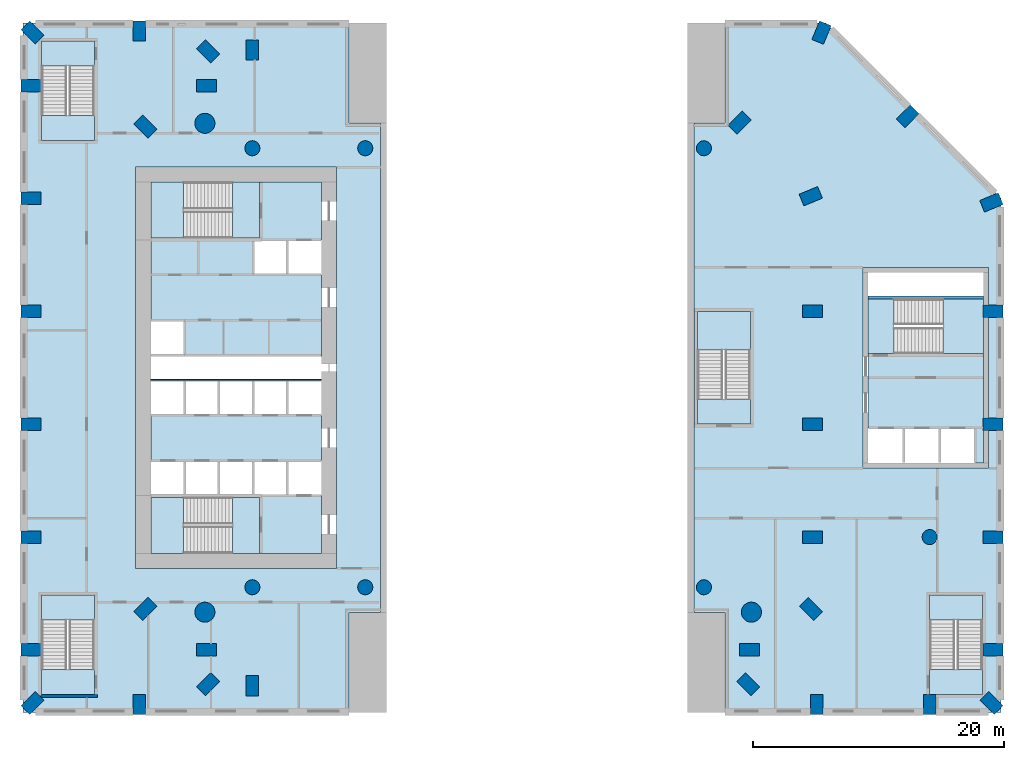
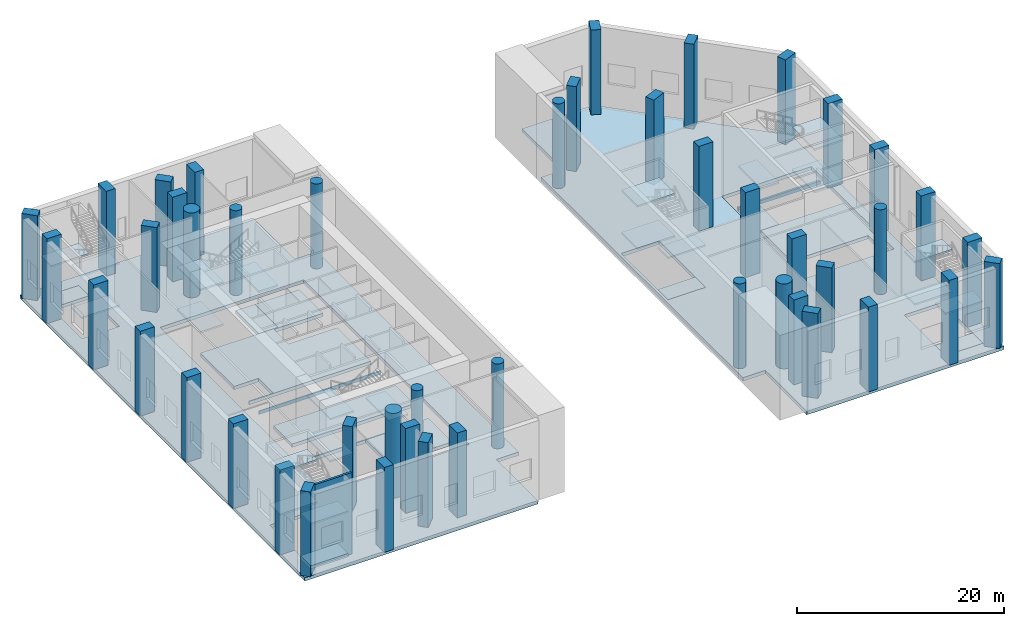
# One storey, part 1 of 17: 46 columns, 36 slabs, 1 wall, 7 elements without a shape of their own.
"""IFC4 building model written with IfcOpenShell, lengths in metres."""

import ifcopenshell
import ifcopenshell.guid

model = None  # the IFC model being written
_history = None  # IfcOwnerHistory: only IFC2X3 demands one
_inside = {}  # id of a spatial element -> (the spatial element, [elements in it])
_under = {}  # id of a project, library or spatial element -> (it, [spatial elements below it])
_declared = {}  # id of a project -> (the project, [libraries it declares])
_typed = {}  # id of a type object -> (the type object, [elements of that type])
_made_of = {}  # id of a material, layer set ... -> (it, [elements and type objects made of it])


def new_model(schema):
    """Start an empty IFC model of exactly this schema.

    Asked for "IFC4X3", IfcOpenShell would pick the latest addendum, in which some entities
    have other attributes; the version numbers below select the first issue.
    IFC2X3 requires an IfcOwnerHistory on every rooted entity: one is made here for all.
    """
    global model, _history
    if schema == "IFC4X3":
        model = ifcopenshell.file(schema_version=(4, 3, 0, 0))
    else:
        model = ifcopenshell.file(schema=schema)
    _inside.clear()
    _under.clear()
    _declared.clear()
    _typed.clear()
    _made_of.clear()
    _history = None
    if model.schema == "IFC2X3":
        org = make("IfcOrganization", Name="unknown")
        user = make(
            "IfcPersonAndOrganization",
            ThePerson=make("IfcPerson", FamilyName="unknown"),
            TheOrganization=org,
        )
        app = make(
            "IfcApplication",
            ApplicationDeveloper=org,
            Version="unknown",
            ApplicationFullName="unknown",
            ApplicationIdentifier="unknown",
        )
        _history = make(
            "IfcOwnerHistory",
            OwningUser=user,
            OwningApplication=app,
            ChangeAction="ADDED",
            CreationDate=0,
        )
    return model


def make(cls, **values):
    """One entity of the class cls with the attributes given. An attribute that is None is left unset."""
    return model.create_entity(
        cls, **{name: value for name, value in values.items() if value is not None}
    )


def rooted(cls, **values):
    """An entity with a GlobalId (a new one), such as an element, a storey or a relation."""
    return make(cls, GlobalId=ifcopenshell.guid.new(), OwnerHistory=_history, **values)


def si_unit(unit_type, name, prefix=None):
    """IfcSIUnit, for example si_unit("LENGTHUNIT", "METRE", prefix="MILLI")."""
    return make("IfcSIUnit", UnitType=unit_type, Prefix=prefix, Name=name)


def assignment(units):
    """IfcUnitAssignment: the units of a project."""
    return None if units is None else make("IfcUnitAssignment", Units=units)


def point(xyz):
    """IfcCartesianPoint."""
    return None if xyz is None else make("IfcCartesianPoint", Coordinates=xyz)


def direction(xyz):
    """IfcDirection."""
    return None if xyz is None else make("IfcDirection", DirectionRatios=xyz)


def frame(location, z_axis=None, x_axis=None):
    """IfcAxis2Placement3D, a coordinate frame: its origin and axes. An axis left out is left unset."""
    return make(
        "IfcAxis2Placement3D",
        Location=point(location),
        Axis=direction(z_axis),
        RefDirection=direction(x_axis),
    )


def frame_2d(location, x_axis=None):
    """IfcAxis2Placement2D, a coordinate frame in the plane: its origin and x axis."""
    return make(
        "IfcAxis2Placement2D", Location=point(location), RefDirection=direction(x_axis)
    )


def origin():
    """The frame at (0, 0, 0) with its axes left unset."""
    return frame((0.0, 0.0, 0.0))


def origin_2d():
    """The frame at (0, 0) in the plane with its x axis left unset."""
    return frame_2d((0.0, 0.0))


def place(relative_to, where):
    """IfcLocalPlacement: puts the frame where relative to a parent placement (None: the world)."""
    return make(
        "IfcLocalPlacement", PlacementRelTo=relative_to, RelativePlacement=where
    )


def context(
    kind, dimensions, precision=None, world=None, true_north=None, identifier=None
):
    """IfcGeometricRepresentationContext, for example the 3D "Model" context."""
    return make(
        "IfcGeometricRepresentationContext",
        ContextIdentifier=identifier,
        ContextType=kind,
        CoordinateSpaceDimension=dimensions,
        Precision=precision,
        WorldCoordinateSystem=world,
        TrueNorth=true_north,
    )


def subcontext(parent, identifier, kind, view, scale=None):
    """IfcGeometricRepresentationSubContext, for example "Body" below "Model"."""
    return make(
        "IfcGeometricRepresentationSubContext",
        ContextIdentifier=identifier,
        ContextType=kind,
        ParentContext=parent,
        TargetScale=scale,
        TargetView=view,
    )


def project(units=None, contexts=None):
    """IfcProject with its units and contexts."""
    return rooted(
        "IfcProject",
        Name="project",
        RepresentationContexts=contexts,
        UnitsInContext=assignment(units),
    )


def spatial(cls, under=None, at=None, **own):
    """A site, building, storey or space (cls), placed at a placement, below another one or the project."""
    s = rooted(cls, ObjectPlacement=at, **own)
    if under is not None:
        _under.setdefault(under.id(), (under, []))[1].append(s)
    return s


def polyline(points):
    """IfcPolyline through the points."""
    return make("IfcPolyline", Points=[point(p) for p in points])


def profile(cls, at=None, kind="AREA", **sizes):
    """A parametric profile (cls). Its sizes go by their IFC names, for example OverallWidth=200.0."""
    return make(cls, ProfileType=kind, Position=at, **sizes)


def rectangle(**sizes):
    """IfcRectangleProfileDef."""
    return profile("IfcRectangleProfileDef", **sizes)


def circle(**sizes):
    """IfcCircleProfileDef."""
    return profile("IfcCircleProfileDef", **sizes)


def outline(outer, holes=None, kind="AREA"):
    """IfcArbitraryClosedProfileDef: a profile drawn as a closed curve; with holes, ...WithVoids."""
    if holes is None:
        return make("IfcArbitraryClosedProfileDef", ProfileType=kind, OuterCurve=outer)
    return make(
        "IfcArbitraryProfileDefWithVoids",
        ProfileType=kind,
        OuterCurve=outer,
        InnerCurves=holes,
    )


def extrude(swept, where, along, depth):
    """IfcExtrudedAreaSolid: the profile swept, set in the frame where, extruded along a direction by depth."""
    return make(
        "IfcExtrudedAreaSolid",
        SweptArea=swept,
        Position=where,
        ExtrudedDirection=direction(along),
        Depth=depth,
    )


def shape(context_of_items, identifier, shape_type, items):
    """IfcShapeRepresentation: the items that make up one representation, for example the "Body"."""
    return make(
        "IfcShapeRepresentation",
        ContextOfItems=context_of_items,
        RepresentationIdentifier=identifier,
        RepresentationType=shape_type,
        Items=items,
    )


def material(Name=None, Category=None):
    """IfcMaterial."""
    return make("IfcMaterial", Name=Name, Category=Category)


def layer(
    of_material, thickness, ventilated=None, Name=None, Category=None, Priority=None
):
    """IfcMaterialLayer: one layer of a wall or slab, of a material (None: an air gap)."""
    return make(
        "IfcMaterialLayer",
        Material=of_material,
        LayerThickness=thickness,
        IsVentilated=ventilated,
        Name=Name,
        Category=Category,
        Priority=Priority,
    )


def layer_set(layers, Name=None):
    """IfcMaterialLayerSet."""
    return make("IfcMaterialLayerSet", MaterialLayers=layers, LayerSetName=Name)


def material_profile(
    of_material, cross_section, Name=None, Category=None, Priority=None
):
    """IfcMaterialProfile: a cross section and its material."""
    return make(
        "IfcMaterialProfile",
        Name=Name,
        Material=of_material,
        Profile=cross_section,
        Priority=Priority,
        Category=Category,
    )


def profile_set(profiles, Name=None, composite=None):
    """IfcMaterialProfileSet."""
    return make(
        "IfcMaterialProfileSet",
        Name=Name,
        MaterialProfiles=profiles,
        CompositeProfile=composite,
    )


def made_of(thing, what):
    """Note that an element or type object is made of a material, layer set ...; save() writes the relation."""
    if what is not None:
        _made_of.setdefault(what.id(), (what, []))[1].append(thing)
    return thing


def type_object(cls, material=None, **own):
    """A type object (cls), such as IfcWallType, which elements share."""
    return made_of(rooted(cls, **own), material)


def element(
    cls,
    number,
    at=None,
    inside=None,
    cuts=None,
    type_object=None,
    material=None,
    context=None,
    identifier="Body",
    shape_type=None,
    held_by="IfcProductDefinitionShape",
    body=None,
    shapes=None,
    **own,
):
    """One element of the class cls, such as IfcWall. Its Tag is "e" and its number.

    at: its placement. inside: the storey or other place that contains it. cuts: it is an
    opening in that element (IfcRelVoidsElement). A single representation is given by context,
    identifier, shape_type and body (its items); several are given by shapes. held_by: the class
    of the entity that holds the representations. save() writes the other relations.
    """
    e = rooted(cls, Tag="e%d" % number, ObjectPlacement=at, **own)
    if body is not None:
        shapes = [shape(context, identifier, shape_type, body)]
    if shapes is not None:
        e.Representation = make(held_by, Representations=shapes)
    if inside is not None:
        _inside.setdefault(inside.id(), (inside, []))[1].append(e)
    if cuts is not None:
        rooted(
            "IfcRelVoidsElement", RelatingBuildingElement=cuts, RelatedOpeningElement=e
        )
    if type_object is not None:
        _typed.setdefault(type_object.id(), (type_object, []))[1].append(e)
    return made_of(e, material)


def aggregate(whole, parts):
    """IfcRelAggregates: a whole, such as a stair, and the parts it consists of."""
    return rooted("IfcRelAggregates", RelatingObject=whole, RelatedObjects=parts)


def save(model, path):
    """Write the relations noted so far, then the file.

    IfcRelAggregates (storeys below a building ...), IfcRelContainedInSpatialStructure (elements
    in a storey), IfcRelDefinesByType, IfcRelAssociatesMaterial and IfcRelDeclares: one each for
    every whole, place, type object, material and project.
    """
    for whole, parts in _under.values():
        aggregate(whole, parts)
    for where, things in _inside.values():
        rooted(
            "IfcRelContainedInSpatialStructure",
            RelatedElements=things,
            RelatingStructure=where,
        )
    for kind, things in _typed.values():
        rooted("IfcRelDefinesByType", RelatedObjects=things, RelatingType=kind)
    for what, things in _made_of.values():
        rooted("IfcRelAssociatesMaterial", RelatedObjects=things, RelatingMaterial=what)
    for by, libraries in _declared.values():
        rooted("IfcRelDeclares", RelatingContext=by, RelatedDefinitions=libraries)
    model.write(path)


model = new_model("IFC4")

# Units and contexts
model_context = context("Model", 3, precision=1e-05, world=origin(), true_north=direction((0.0, 1.0)))
body_context = subcontext(model_context, "Body", "Model", "MODEL_VIEW")
ifc_project = project(units=[si_unit("LENGTHUNIT", "METRE"), si_unit("AREAUNIT", "SQUARE_METRE"), si_unit("VOLUMEUNIT", "CUBIC_METRE"), si_unit("PLANEANGLEUNIT", "RADIAN"), si_unit("MASSUNIT", "GRAM", prefix="KILO")], contexts=[model_context])

# Site, building, storey
site_placement = place(None, origin())
site = spatial("IfcSite", under=ifc_project, at=site_placement, CompositionType="ELEMENT")
building_placement = place(site_placement, origin())
building = spatial("IfcBuilding", under=site, at=building_placement, Name="Cypress Arch Tower", CompositionType="ELEMENT")
storey_placement = place(building_placement, frame((0.0, 0.0, 19.0)))
storey = spatial("IfcBuildingStorey", under=building, at=storey_placement, Name="L02", CompositionType="ELEMENT", Elevation=19.0)

# Columns
ifc_material_1 = material(Name="Concrete C80/95", Category="concrete")
ifc_material_profile_1 = material_profile(ifc_material_1, circle(Radius=0.60009765625, at=origin_2d()), Name="RC D1200")
ifc_profile_set_1 = profile_set([ifc_material_profile_1], Name="Concrete C80/95")
column_type_1 = type_object("IfcColumnType", Name="Column RC D1200 Concrete C80/95", PredefinedType="COLUMN", material=ifc_profile_set_1)
for number, where, z_axis, x_axis, name in (
    (1, (-20.699951171875, -17.5, 0.0), (0.0, 0.0, 1.0), (1.0, 0.0, 0.0), "Column L02 CIC-L02-CI3S"),
    (2, (-11.699951171875, -17.5, 0.0), (0.0, 0.0, 1.0), (1.0, 0.0, 0.0), "Column L02 CIC-L02-CI4S"),
    (3, (15.300048828125, -17.5, 0.0), (0.0, 0.0, 1.0), (1.0, 0.0, 0.0), "Column L02 CIC-L02-CI7S"),
    (4, (-20.699951171875, 17.5, 0.0), (0.0, 0.0, 1.0), (1.0, 0.0, 0.0), "Column L02 CIC-L02-CI3N"),
    (5, (-11.699951171875, 17.5, 0.0), (0.0, 0.0, 1.0), (1.0, 0.0, 0.0), "Column L02 CIC-L02-CI4N"),
    (6, (15.300048828125, 17.5, 0.0), (0.0, 0.0, 1.0), (1.0, 0.0, 0.0), "Column L02 CIC-L02-CI7N"),
    (7, (33.300048828125, -13.5, 0.0), (0.0, 0.0, 1.0), (1.0, 0.0, 0.0), "Column L02 PIC-L02-01"),
):
    element("IfcColumn", number, at=place(storey_placement, frame(where, z_axis=z_axis, x_axis=x_axis)), inside=storey, type_object=column_type_1, Name=name, PredefinedType="COLUMN", context=body_context, shape_type="SweptSolid", body=[
        extrude(circle(Radius=0.60009765625, at=origin_2d()), origin(), (0.0, 0.0, 1.0), 10.0),
    ])
ifc_material_2 = material(Name="Concrete C80/95", Category="concrete")
ifc_material_profile_2 = material_profile(ifc_material_2, circle(Radius=0.800048828125, at=origin_2d()), Name="RC D1600")
ifc_profile_set_2 = profile_set([ifc_material_profile_2], Name="Concrete C80/95")
column_type_2 = type_object("IfcColumnType", Name="Mega-column RC D1600 Concrete C80/95", PredefinedType="COLUMN", material=ifc_profile_set_2)
for number, where, z_axis, x_axis, name in (
    (8, (-24.48779296875, -19.48779296875, 0.0), (0.0, 0.0, 1.0), (1.0, 0.0, 0.0), "Column L02 CA02"),
    (9, (19.087890625, -19.48779296875, 0.0), (0.0, 0.0, 1.0), (1.0, 0.0, 0.0), "Column L02 CA12"),
    (10, (-24.48779296875, 19.48779296875, 0.0), (0.0, 0.0, 1.0), (1.0, 0.0, 0.0), "Column L02 CA26"),
):
    element("IfcColumn", number, at=place(storey_placement, frame(where, z_axis=z_axis, x_axis=x_axis)), inside=storey, type_object=column_type_2, Name=name, PredefinedType="COLUMN", context=body_context, shape_type="SweptSolid", body=[
        extrude(circle(Radius=0.800048828125, at=origin_2d()), origin(), (0.0, 0.0, 1.0), 10.0),
    ])
ifc_material_3 = material(Name="Concrete C80/95", Category="concrete")
ifc_material_profile_3 = material_profile(ifc_material_3, rectangle(XDim=1.0, YDim=1.60009765625, at=origin_2d()), Name="RC 1000x1600")
ifc_profile_set_3 = profile_set([ifc_material_profile_3], Name="Concrete C80/95")
column_type_3 = type_object("IfcColumnType", Name="Podium column RC 1000x1600 Concrete C80/95", PredefinedType="COLUMN", material=ifc_profile_set_3)
for number, where, z_axis, x_axis, name in (
    (11, (-29.230712890625, 19.230712890625, 0.0), (0.0, 0.0, 1.0), (-0.707106781187, -0.707106781187, 0.0), "Column L02 CA00"),
    (12, (-29.230712890625, -19.230712890625, 0.0), (0.0, 0.0, 1.0), (0.707106781187, -0.707106781187, 0.0), "Column L02 CA01"),
    (13, (-24.35009765625, -22.5, 0.0), (0.0, 0.0, 1.0), (0.0, -1.0, 0.0), "Column L02 CA03"),
    (14, (-24.230712890625, -25.230712890625, 0.0), (0.0, 0.0, 1.0), (0.707106781187, -0.707106781187, 0.0), "Column L02 CA04"),
    (15, (-20.699951171875, -25.35009765625, 0.0), (0.0, 0.0, 1.0), (1.0, 0.0, 0.0), "Column L02 CA05"),
    (16, (18.830810546875, -25.230712890625, 0.0), (0.0, 0.0, 1.0), (0.707106781187, 0.707106781187, 0.0), "Column L02 CA10"),
    (17, (18.949951171875, -22.5, 0.0), (0.0, 0.0, 1.0), (0.0, 1.0, 0.0), "Column L02 CA11"),
    (18, (23.830810546875, -19.230712890625, 0.0), (0.0, 0.0, 1.0), (0.707106781187, 0.707106781187, 0.0), "Column L02 CA13"),
    (19, (23.949951171875, -13.5, 0.0), (0.0, 0.0, 1.0), (0.0, 1.0, 0.0), "Column L02 CA14"),
    (20, (23.949951171875, -4.5, 0.0), (0.0, 0.0, 1.0), (0.0, 1.0, 0.0), "Column L02 CA15"),
    (21, (23.949951171875, 4.5, 0.0), (0.0, 0.0, 1.0), (0.0, 1.0, 0.0), "Column L02 CA16"),
    (22, (23.819580078125, 13.6767578125, 0.0), (0.0, 0.0, 1.0), (-0.382683496864, 0.923879505795, 0.0), "Column L02 CA17"),
    (23, (18.140380859375, 19.540283203125, 0.0), (0.0, 0.0, 1.0), (-0.707106781187, 0.707106781187, 0.0), "Column L02 CA18"),
    (24, (-20.699951171875, 25.35009765625, 0.0), (0.0, 0.0, 1.0), (-1.0, 0.0, 0.0), "Column L02 CA23"),
    (25, (-24.230712890625, 25.230712890625, 0.0), (0.0, 0.0, 1.0), (-0.707106781187, -0.707106781187, 0.0), "Column L02 CA24"),
    (26, (-24.35009765625, 22.5, 0.0), (0.0, 0.0, 1.0), (0.0, -1.0, 0.0), "Column L02 CA25"),
    (27, (-38.230712890625, -26.730712890625, 0.0), (0.0, 0.0, 1.0), (0.707106781187, -0.707106781187, 0.0), "Column L02 CP00"),
    (28, (-29.699951171875, -26.85009765625, 0.0), (0.0, 0.0, 1.0), (1.0, 0.0, 0.0), "Column L02 CP01"),
    (29, (24.300048828125, -26.85009765625, 0.0), (0.0, 0.0, 1.0), (1.0, 0.0, 0.0), "Column L02 CP07"),
    (30, (33.300048828125, -26.85009765625, 0.0), (0.0, 0.0, 1.0), (1.0, 0.0, 0.0), "Column L02 CP08"),
    (31, (38.230712890625, -26.730712890625, 0.0), (0.0, 0.0, 1.0), (0.707106781187, 0.707106781187, 0.0), "Column L02 CP09"),
    (32, (38.35009765625, -22.5, 0.0), (0.0, 0.0, 1.0), (0.0, 1.0, 0.0), "Column L02 CP10"),
    (33, (38.35009765625, -13.5, 0.0), (0.0, 0.0, 1.0), (0.0, 1.0, 0.0), "Column L02 CP11"),
    (34, (38.35009765625, -4.5, 0.0), (0.0, 0.0, 1.0), (0.0, 1.0, 0.0), "Column L02 CP12"),
    (35, (38.35009765625, 4.5, 0.0), (0.0, 0.0, 1.0), (0.0, 1.0, 0.0), "Column L02 CP13"),
    (36, (38.219482421875, 13.1767578125, 0.0), (0.0, 0.0, 1.0), (-0.382683496864, 0.923879505795, 0.0), "Column L02 CP14"),
    (37, (31.540283203125, 20.040283203125, 0.0), (0.0, 0.0, 1.0), (-0.707106781187, 0.707106781187, 0.0), "Column L02 CP15"),
    (38, (24.6767578125, 26.719482421875, 0.0), (0.0, 0.0, 1.0), (-0.923879505795, 0.382683496864, 0.0), "Column L02 CP16"),
    (39, (-29.699951171875, 26.85009765625, 0.0), (0.0, 0.0, 1.0), (-1.0, 0.0, 0.0), "Column L02 CP22"),
    (40, (-38.230712890625, 26.730712890625, 0.0), (0.0, 0.0, 1.0), (-0.707106781187, -0.707106781187, 0.0), "Column L02 CP23"),
    (41, (-38.35009765625, 22.5, 0.0), (0.0, 0.0, 1.0), (0.0, -1.0, 0.0), "Column L02 CP24"),
    (42, (-38.35009765625, 13.5, 0.0), (0.0, 0.0, 1.0), (0.0, -1.0, 0.0), "Column L02 CP25"),
    (43, (-38.35009765625, 4.5, 0.0), (0.0, 0.0, 1.0), (0.0, -1.0, 0.0), "Column L02 CP26"),
    (44, (-38.35009765625, -4.5, 0.0), (0.0, 0.0, 1.0), (0.0, -1.0, 0.0), "Column L02 CP27"),
    (45, (-38.35009765625, -13.5, 0.0), (0.0, 0.0, 1.0), (0.0, -1.0, 0.0), "Column L02 CP28"),
    (46, (-38.35009765625, -22.5, 0.0), (0.0, 0.0, 1.0), (0.0, -1.0, 0.0), "Column L02 CP29"),
):
    element("IfcColumn", number, at=place(storey_placement, frame(where, z_axis=z_axis, x_axis=x_axis)), inside=storey, type_object=column_type_3, Name=name, PredefinedType="COLUMN", context=body_context, shape_type="SweptSolid", body=[
        extrude(rectangle(XDim=1.0, YDim=1.60009765625, at=origin_2d()), origin(), (0.0, 0.0, 1.0), 10.0),
    ])

# Slabs
ifc_material_4 = material(Name="Concrete C40/50", Category="concrete")
ifc_layer_1 = layer(ifc_material_4, 0.39990234375)
ifc_layer_set_1 = layer_set([ifc_layer_1], Name="Core floor CF400")
slab_type_1 = type_object("IfcSlabType", Name="Core floor CF400", PredefinedType="FLOOR", material=ifc_layer_set_1)
slab_1_placement = place(storey_placement, frame((0.0, 0.0, -0.39990234375)))
element("IfcSlab", 47, at=slab_1_placement, inside=storey, type_object=slab_type_1, Name="Stair floor landing", PredefinedType="FLOOR", context=body_context, shape_type="SweptSolid", body=[
    extrude(outline(polyline([(19.0, -4.5), (19.0, -2.5), (14.800048828125, -2.5), (14.800048828125, -4.5), (19.0, -4.5)])), origin(), (0.0, 0.0, 1.0), 0.39990234375),
])
slab_2_placement = place(storey_placement, frame((0.0, 0.0, -0.39990234375)))
element("IfcSlab", 48, at=slab_2_placement, inside=storey, type_object=slab_type_1, Name="Stair floor landing", PredefinedType="FLOOR", context=body_context, shape_type="SweptSolid", body=[
    extrude(outline(polyline([(-33.300048828125, -26.050048828125), (-33.300048828125, -24.050048828125), (-37.5, -24.050048828125), (-37.5, -26.050048828125), (-33.300048828125, -26.050048828125)])), origin(), (0.0, 0.0, 1.0), 0.39990234375),
])
slab_3_placement = place(storey_placement, frame((0.0, 0.0, -0.39990234375)))
element("IfcSlab", 49, at=slab_3_placement, inside=storey, type_object=slab_type_1, Name="Stair floor landing", PredefinedType="FLOOR", context=body_context, shape_type="SweptSolid", body=[
    extrude(outline(polyline([(-37.5, 26.050048828125), (-37.5, 24.050048828125), (-33.300048828125, 24.050048828125), (-33.300048828125, 26.050048828125), (-37.5, 26.050048828125)])), origin(), (0.0, 0.0, 1.0), 0.39990234375),
])
slab_4_placement = place(storey_placement, frame((0.0, 0.0, -0.39990234375)))
element("IfcSlab", 50, at=slab_4_placement, inside=storey, type_object=slab_type_1, Name="Stair floor landing", PredefinedType="FLOOR", context=body_context, shape_type="SweptSolid", body=[
    extrude(outline(polyline([(37.5, -26.050048828125), (37.5, -24.050048828125), (33.300048828125, -24.050048828125), (33.300048828125, -26.050048828125), (37.5, -26.050048828125)])), origin(), (0.0, 0.0, 1.0), 0.39990234375),
])
ifc_material_5 = material(Name="Concrete C40/50", Category="concrete")
ifc_layer_2 = layer(ifc_material_5, 0.402099609375)
ifc_layer_set_2 = layer_set([ifc_layer_2], Name="Core floor CF402")
slab_type_2 = type_object("IfcSlabType", Name="Core floor CF402", PredefinedType="FLOOR", material=ifc_layer_set_2)
slab_5_placement = place(storey_placement, frame((0.0, 0.0, -0.402099609375)))
element("IfcSlab", 51, at=slab_5_placement, inside=storey, type_object=slab_type_2, Name="Core floor", PredefinedType="FLOOR", context=body_context, shape_type="SweptSolid", body=[
    extrude(outline(polyline([(-20.125, -14.800048828125), (-15.199951171875, -14.800048828125), (-15.199951171875, -10.199951171875), (-17.919921875, -10.199951171875), (-20.639892578125, -10.199951171875), (-23.360107421875, -10.199951171875), (-26.080078125, -10.199951171875), (-28.800048828125, -10.199951171875), (-28.800048828125, -10.324951171875), (-22.27490234375, -10.324951171875), (-20.125, -10.324951171875), (-20.125, -14.800048828125)])), origin(), (0.0, 0.0, 1.0), 0.402099609375),
])
slab_6_placement = place(storey_placement, frame((0.0, 0.0, -0.402099609375)))
element("IfcSlab", 52, at=slab_6_placement, inside=storey, type_object=slab_type_2, Name="Core floor", PredefinedType="FLOOR", context=body_context, shape_type="SweptSolid", body=[
    extrude(outline(polyline([(-28.800048828125, -3.800048828125), (-28.800048828125, -7.39990234375), (-26.080078125, -7.39990234375), (-23.360107421875, -7.39990234375), (-20.639892578125, -7.39990234375), (-17.919921875, -7.39990234375), (-15.199951171875, -7.39990234375), (-15.199951171875, -3.800048828125), (-17.919921875, -3.800048828125), (-20.639892578125, -3.800048828125), (-23.360107421875, -3.800048828125), (-26.080078125, -3.800048828125), (-28.800048828125, -3.800048828125)])), origin(), (0.0, 0.0, 1.0), 0.402099609375),
])
slab_7_placement = place(storey_placement, frame((0.0, 0.0, -0.402099609375)))
element("IfcSlab", 53, at=slab_7_placement, inside=storey, type_object=slab_type_2, Name="Core floor", PredefinedType="FLOOR", context=body_context, shape_type="SweptSolid", body=[
    extrude(outline(polyline([(-28.800048828125, 3.800048828125), (-28.800048828125, 10.199951171875), (-28.800048828125, 10.324951171875), (-28.39990234375, 10.324951171875), (-22.27490234375, 10.324951171875), (-20.125, 10.324951171875), (-20.125, 14.800048828125), (-15.60009765625, 14.800048828125), (-15.199951171875, 14.800048828125), (-15.199951171875, 10.199951171875), (-15.60009765625, 10.199951171875), (-17.919921875, 10.199951171875), (-20.639892578125, 10.199951171875), (-20.639892578125, 7.39990234375), (-17.919921875, 7.39990234375), (-15.60009765625, 7.39990234375), (-15.199951171875, 7.39990234375), (-15.199951171875, 0.89990234375), (-15.60009765625, 0.89990234375), (-28.39990234375, 0.89990234375), (-28.800048828125, 0.89990234375), (-28.800048828125, 1.0), (-28.39990234375, 1.0), (-26.080078125, 1.0), (-26.080078125, 3.800048828125), (-28.39990234375, 3.800048828125), (-28.800048828125, 3.800048828125)])), origin(), (0.0, 0.0, 1.0), 0.402099609375),
])
slab_8_placement = place(storey_placement, frame((0.0, 0.0, -0.402099609375)))
element("IfcSlab", 54, at=slab_8_placement, inside=storey, type_object=slab_type_2, Name="Core floor", PredefinedType="FLOOR", context=body_context, shape_type="SweptSolid", body=[
    extrude(outline(polyline([(-22.27490234375, -10.324951171875), (-22.27490234375, -14.800048828125), (-20.125, -14.800048828125), (-20.125, -10.324951171875), (-22.27490234375, -10.324951171875)])), origin(), (0.0, 0.0, 1.0), 0.402099609375),
])
slab_9_placement = place(storey_placement, frame((0.0, 0.0, -0.402099609375)))
element("IfcSlab", 55, at=slab_9_placement, inside=storey, type_object=slab_type_2, Name="Core floor", PredefinedType="FLOOR", context=body_context, shape_type="SweptSolid", body=[
    extrude(outline(polyline([(-20.125, 14.800048828125), (-22.27490234375, 14.800048828125), (-22.27490234375, 10.324951171875), (-20.125, 10.324951171875), (-20.125, 14.800048828125)])), origin(), (0.0, 0.0, 1.0), 0.402099609375),
])
slab_10_placement = place(storey_placement, frame((0.0, 0.0, -0.402099609375)))
element("IfcSlab", 56, at=slab_10_placement, inside=storey, type_object=slab_type_2, Name="East core floor", PredefinedType="FLOOR", context=body_context, shape_type="SweptSolid", body=[
    extrude(outline(polyline([(37.60009765625, -7.60009765625), (37.60009765625, 1.125), (30.449951171875, 1.125), (28.39990234375, 1.125), (28.39990234375, -4.800048828125), (31.25, -4.800048828125), (34.10009765625, -4.800048828125), (36.949951171875, -4.800048828125), (36.949951171875, -7.60009765625), (37.60009765625, -7.60009765625)])), origin(), (0.0, 0.0, 1.0), 0.402099609375),
])
slab_11_placement = place(storey_placement, frame((0.0, 0.0, -0.402099609375)))
element("IfcSlab", 57, at=slab_11_placement, inside=storey, type_object=slab_type_2, Name="East core floor", PredefinedType="FLOOR", context=body_context, shape_type="SweptSolid", body=[
    extrude(outline(polyline([(30.449951171875, 5.47509765625), (28.800048828125, 5.47509765625), (28.39990234375, 5.47509765625), (28.39990234375, 5.72509765625), (28.800048828125, 5.72509765625), (37.199951171875, 5.72509765625), (37.60009765625, 5.72509765625), (37.60009765625, 5.47509765625), (37.199951171875, 5.47509765625), (30.449951171875, 5.47509765625)])), origin(), (0.0, 0.0, 1.0), 0.402099609375),
])
slab_12_placement = place(storey_placement, frame((0.0, 0.0, -0.402099609375)))
element("IfcSlab", 58, at=slab_12_placement, inside=storey, type_object=slab_type_2, Name="East core floor", PredefinedType="FLOOR", context=body_context, shape_type="SweptSolid", body=[
    extrude(outline(polyline([(30.449951171875, 5.47509765625), (28.39990234375, 5.47509765625), (28.39990234375, 1.125), (30.449951171875, 1.125), (30.449951171875, 5.47509765625)])), origin(), (0.0, 0.0, 1.0), 0.402099609375),
])
slab_13_placement = place(storey_placement, frame((0.0, 0.0, -0.402099609375)))
element("IfcSlab", 59, at=slab_13_placement, inside=storey, type_object=slab_type_2, Name="Core floor", PredefinedType="FLOOR", context=body_context, shape_type="SweptSolid", body=[
    extrude(outline(polyline([(-20.639892578125, -1.0), (-23.360107421875, -1.0), (-26.080078125, -1.0), (-28.39990234375, -1.0), (-28.800048828125, -1.0), (-28.800048828125, -0.89990234375), (-28.39990234375, -0.89990234375), (-15.60009765625, -0.89990234375), (-15.199951171875, -0.89990234375), (-15.199951171875, -1.0), (-15.60009765625, -1.0), (-17.919921875, -1.0), (-20.639892578125, -1.0)])), origin(), (0.0, 0.0, 1.0), 0.402099609375),
])
ifc_material_6 = material(Name="Concrete C40/50", Category="concrete")
ifc_layer_3 = layer(ifc_material_6, 0.39990234375)
ifc_layer_set_3 = layer_set([ifc_layer_3], Name="Podium flat slab 400 Concrete C40/50")
slab_type_3 = type_object("IfcSlabType", Name="Podium flat slab 400 Concrete C40/50", PredefinedType="FLOOR", material=ifc_layer_set_3)
slab_14_placement = place(storey_placement, frame((0.0, 0.0, -0.39990234375)))
element("IfcSlab", 60, at=slab_14_placement, inside=storey, type_object=slab_type_3, Name="Floor slab L02", PredefinedType="FLOOR", context=body_context, shape_type="SweptSolid", body=[
    extrude(outline(polyline([(-39.0, -27.5), (-39.0, 27.5), (-13.0, 27.5), (-13.0, 19.5), (-10.5, 19.5), (-10.5, -19.5), (-13.0, -19.5), (-13.0, -27.5), (-39.0, -27.5)]), holes=[polyline([(-33.300048828125, -18.1298828125), (-37.5, -18.1298828125), (-37.5, -26.050048828125), (-33.300048828125, -26.050048828125), (-33.300048828125, -18.1298828125)]), polyline([(-14.0, 16.0), (-30.0, 16.0), (-30.0, -16.0), (-14.0, -16.0), (-14.0, 16.0)]), polyline([(-37.5, 18.1298828125), (-33.300048828125, 18.1298828125), (-33.300048828125, 26.050048828125), (-37.5, 26.050048828125), (-37.5, 18.1298828125)])]), origin(), (0.0, 0.0, 1.0), 0.39990234375),
])
slab_15_placement = place(storey_placement, frame((0.0, 0.0, -0.39990234375)))
element("IfcSlab", 61, at=slab_15_placement, inside=storey, type_object=slab_type_3, Name="Floor slab L02", PredefinedType="FLOOR", context=body_context, shape_type="SweptSolid", body=[
    extrude(outline(polyline([(25.0, 27.5), (39.0, 13.5), (39.0, -27.5), (17.0, -27.5), (17.0, -19.5), (14.5, -19.5), (14.5, 19.5), (17.0, 19.5), (17.0, 27.5), (25.0, 27.5)]), holes=[polyline([(37.5, -18.1298828125), (33.300048828125, -18.1298828125), (33.300048828125, -26.050048828125), (37.5, -26.050048828125), (37.5, -18.1298828125)]), polyline([(19.0, 4.5), (14.800048828125, 4.5), (14.800048828125, -4.5), (19.0, -4.5), (19.0, 4.5)]), polyline([(38.0, 8.0), (28.0, 8.0), (28.0, -8.0), (38.0, -8.0), (38.0, 8.0)])]), origin(), (0.0, 0.0, 1.0), 0.39990234375),
])

# Stair, slabs
ifc_material_7 = material(Name="Concrete C40/50", Category="concrete")
stair_type_1 = type_object("IfcStairType", Name="Exit stair ES1667-215", PredefinedType="HALF_TURN_STAIR", material=ifc_material_7)
stair_1_placement = place(storey_placement, origin())
stair_1 = element("IfcStair", 62, at=stair_1_placement, inside=storey, type_object=stair_type_1, Name="L02 Exit stair A", PredefinedType="HALF_TURN_STAIR")
ifc_material_8 = material(Name="Concrete C40/50", Category="concrete")
ifc_layer_4 = layer(ifc_material_8, 0.199951171875)
ifc_layer_set_4 = layer_set([ifc_layer_4], Name="Stair landing SL200")
slab_type_4 = type_object("IfcSlabType", Name="Stair landing SL200", PredefinedType="LANDING", material=ifc_layer_set_4)
slab_16_placement = place(storey_placement, frame((0.0, 0.0, 2.300048828125)))
slab_16 = element("IfcSlab", 63, at=slab_16_placement, type_object=slab_type_4, Name="A landing 1", PredefinedType="LANDING", context=body_context, shape_type="SweptSolid", body=[
    extrude(outline(polyline([(-26.195068359375, -10.324951171875), (-28.800048828125, -10.324951171875), (-28.800048828125, -14.800048828125), (-26.195068359375, -14.800048828125), (-26.195068359375, -10.324951171875)])), origin(), (0.0, 0.0, 1.0), 0.199951171875),
])
slab_17_placement = place(storey_placement, frame((0.0, 0.0, 4.800048828125)))
slab_17 = element("IfcSlab", 64, at=slab_17_placement, type_object=slab_type_4, Name="A landing 2", PredefinedType="LANDING", context=body_context, shape_type="SweptSolid", body=[
    extrude(outline(polyline([(-20.125, -10.324951171875), (-22.27490234375, -10.324951171875), (-22.27490234375, -14.800048828125), (-20.125, -14.800048828125), (-20.125, -10.324951171875)])), origin(), (0.0, 0.0, 1.0), 0.199951171875),
])
slab_18_placement = place(storey_placement, frame((0.0, 0.0, 7.300048828125)))
slab_18 = element("IfcSlab", 65, at=slab_18_placement, type_object=slab_type_4, Name="A landing 3", PredefinedType="LANDING", context=body_context, shape_type="SweptSolid", body=[
    extrude(outline(polyline([(-26.195068359375, -10.324951171875), (-28.800048828125, -10.324951171875), (-28.800048828125, -14.800048828125), (-26.195068359375, -14.800048828125), (-26.195068359375, -10.324951171875)])), origin(), (0.0, 0.0, 1.0), 0.199951171875),
])
aggregate(stair_1, [slab_16, slab_17, slab_18])

stair_2_placement = place(storey_placement, origin())
stair_2 = element("IfcStair", 66, at=stair_2_placement, inside=storey, type_object=stair_type_1, Name="L02 Exit stair B", PredefinedType="HALF_TURN_STAIR")
slab_19_placement = place(storey_placement, frame((0.0, 0.0, 2.300048828125)))
slab_19 = element("IfcSlab", 67, at=slab_19_placement, type_object=slab_type_4, Name="B landing 1", PredefinedType="LANDING", context=body_context, shape_type="SweptSolid", body=[
    extrude(outline(polyline([(-26.195068359375, 14.800048828125), (-28.800048828125, 14.800048828125), (-28.800048828125, 10.324951171875), (-26.195068359375, 10.324951171875), (-26.195068359375, 14.800048828125)])), origin(), (0.0, 0.0, 1.0), 0.199951171875),
])
slab_20_placement = place(storey_placement, frame((0.0, 0.0, 4.800048828125)))
slab_20 = element("IfcSlab", 68, at=slab_20_placement, type_object=slab_type_4, Name="B landing 2", PredefinedType="LANDING", context=body_context, shape_type="SweptSolid", body=[
    extrude(outline(polyline([(-20.125, 14.800048828125), (-22.27490234375, 14.800048828125), (-22.27490234375, 10.324951171875), (-20.125, 10.324951171875), (-20.125, 14.800048828125)])), origin(), (0.0, 0.0, 1.0), 0.199951171875),
])
slab_21_placement = place(storey_placement, frame((0.0, 0.0, 7.300048828125)))
slab_21 = element("IfcSlab", 69, at=slab_21_placement, type_object=slab_type_4, Name="B landing 3", PredefinedType="LANDING", context=body_context, shape_type="SweptSolid", body=[
    extrude(outline(polyline([(-26.195068359375, 14.800048828125), (-28.800048828125, 14.800048828125), (-28.800048828125, 10.324951171875), (-26.195068359375, 10.324951171875), (-26.195068359375, 14.800048828125)])), origin(), (0.0, 0.0, 1.0), 0.199951171875),
])
aggregate(stair_2, [slab_19, slab_20, slab_21])

ifc_material_9 = material(Name="Concrete C40/50", Category="concrete")
stair_type_2 = type_object("IfcStairType", Name="Exit stair ES1667-200", PredefinedType="HALF_TURN_STAIR", material=ifc_material_9)
stair_3_placement = place(storey_placement, origin())
stair_3 = element("IfcStair", 70, at=stair_3_placement, inside=storey, type_object=stair_type_2, Name="L02 Exit stair C", PredefinedType="HALF_TURN_STAIR")
slab_22_placement = place(storey_placement, frame((0.0, 0.0, 2.300048828125)))
slab_22 = element("IfcSlab", 71, at=slab_22_placement, type_object=slab_type_4, Name="C landing 1", PredefinedType="LANDING", context=body_context, shape_type="SweptSolid", body=[
    extrude(outline(polyline([(19.0, 1.419921875), (19.0, 4.5), (14.800048828125, 4.5), (14.800048828125, 1.419921875), (19.0, 1.419921875)])), origin(), (0.0, 0.0, 1.0), 0.199951171875),
])
slab_23_placement = place(storey_placement, frame((0.0, 0.0, 4.800048828125)))
slab_23 = element("IfcSlab", 72, at=slab_23_placement, type_object=slab_type_4, Name="C landing 2", PredefinedType="LANDING", context=body_context, shape_type="SweptSolid", body=[
    extrude(outline(polyline([(19.0, -4.5), (19.0, -2.5), (14.800048828125, -2.5), (14.800048828125, -4.5), (19.0, -4.5)])), origin(), (0.0, 0.0, 1.0), 0.199951171875),
])
slab_24_placement = place(storey_placement, frame((0.0, 0.0, 7.300048828125)))
slab_24 = element("IfcSlab", 73, at=slab_24_placement, type_object=slab_type_4, Name="C landing 3", PredefinedType="LANDING", context=body_context, shape_type="SweptSolid", body=[
    extrude(outline(polyline([(19.0, 1.419921875), (19.0, 4.5), (14.800048828125, 4.5), (14.800048828125, 1.419921875), (19.0, 1.419921875)])), origin(), (0.0, 0.0, 1.0), 0.199951171875),
])
aggregate(stair_3, [slab_22, slab_23, slab_24])

stair_4_placement = place(storey_placement, origin())
stair_4 = element("IfcStair", 74, at=stair_4_placement, inside=storey, type_object=stair_type_2, Name="L02 Exit stair P1", PredefinedType="HALF_TURN_STAIR")
slab_25_placement = place(storey_placement, frame((0.0, 0.0, 2.300048828125)))
slab_25 = element("IfcSlab", 75, at=slab_25_placement, type_object=slab_type_4, Name="P1 landing 1", PredefinedType="LANDING", context=body_context, shape_type="SweptSolid", body=[
    extrude(outline(polyline([(-33.300048828125, -20.1298828125), (-33.300048828125, -18.1298828125), (-37.5, -18.1298828125), (-37.5, -20.1298828125), (-33.300048828125, -20.1298828125)])), origin(), (0.0, 0.0, 1.0), 0.199951171875),
])
slab_26_placement = place(storey_placement, frame((0.0, 0.0, 4.800048828125)))
slab_26 = element("IfcSlab", 76, at=slab_26_placement, type_object=slab_type_4, Name="P1 landing 2", PredefinedType="LANDING", context=body_context, shape_type="SweptSolid", body=[
    extrude(outline(polyline([(-33.300048828125, -26.050048828125), (-33.300048828125, -24.050048828125), (-37.5, -24.050048828125), (-37.5, -26.050048828125), (-33.300048828125, -26.050048828125)])), origin(), (0.0, 0.0, 1.0), 0.199951171875),
])
slab_27_placement = place(storey_placement, frame((0.0, 0.0, 7.300048828125)))
slab_27 = element("IfcSlab", 77, at=slab_27_placement, type_object=slab_type_4, Name="P1 landing 3", PredefinedType="LANDING", context=body_context, shape_type="SweptSolid", body=[
    extrude(outline(polyline([(-33.300048828125, -20.1298828125), (-33.300048828125, -18.1298828125), (-37.5, -18.1298828125), (-37.5, -20.1298828125), (-33.300048828125, -20.1298828125)])), origin(), (0.0, 0.0, 1.0), 0.199951171875),
])
aggregate(stair_4, [slab_25, slab_26, slab_27])

stair_5_placement = place(storey_placement, origin())
stair_5 = element("IfcStair", 78, at=stair_5_placement, inside=storey, type_object=stair_type_2, Name="L02 Exit stair P2", PredefinedType="HALF_TURN_STAIR")
slab_28_placement = place(storey_placement, frame((0.0, 0.0, 2.300048828125)))
slab_28 = element("IfcSlab", 79, at=slab_28_placement, type_object=slab_type_4, Name="P2 landing 1", PredefinedType="LANDING", context=body_context, shape_type="SweptSolid", body=[
    extrude(outline(polyline([(-37.5, 20.1298828125), (-37.5, 18.1298828125), (-33.300048828125, 18.1298828125), (-33.300048828125, 20.1298828125), (-37.5, 20.1298828125)])), origin(), (0.0, 0.0, 1.0), 0.199951171875),
])
slab_29_placement = place(storey_placement, frame((0.0, 0.0, 4.800048828125)))
slab_29 = element("IfcSlab", 80, at=slab_29_placement, type_object=slab_type_4, Name="P2 landing 2", PredefinedType="LANDING", context=body_context, shape_type="SweptSolid", body=[
    extrude(outline(polyline([(-37.5, 26.050048828125), (-37.5, 24.050048828125), (-33.300048828125, 24.050048828125), (-33.300048828125, 26.050048828125), (-37.5, 26.050048828125)])), origin(), (0.0, 0.0, 1.0), 0.199951171875),
])
slab_30_placement = place(storey_placement, frame((0.0, 0.0, 7.300048828125)))
slab_30 = element("IfcSlab", 81, at=slab_30_placement, type_object=slab_type_4, Name="P2 landing 3", PredefinedType="LANDING", context=body_context, shape_type="SweptSolid", body=[
    extrude(outline(polyline([(-37.5, 20.1298828125), (-37.5, 18.1298828125), (-33.300048828125, 18.1298828125), (-33.300048828125, 20.1298828125), (-37.5, 20.1298828125)])), origin(), (0.0, 0.0, 1.0), 0.199951171875),
])
aggregate(stair_5, [slab_28, slab_29, slab_30])

ifc_material_10 = material(Name="Concrete C40/50", Category="concrete")
stair_type_3 = type_object("IfcStairType", Name="Exit stair ES1667-205", PredefinedType="HALF_TURN_STAIR", material=ifc_material_10)
stair_6_placement = place(storey_placement, origin())
stair_6 = element("IfcStair", 82, at=stair_6_placement, inside=storey, type_object=stair_type_3, Name="L02 Exit stair P3", PredefinedType="HALF_TURN_STAIR")
slab_31_placement = place(storey_placement, frame((0.0, 0.0, 2.300048828125)))
slab_31 = element("IfcSlab", 83, at=slab_31_placement, type_object=slab_type_4, Name="P3 landing 1", PredefinedType="LANDING", context=body_context, shape_type="SweptSolid", body=[
    extrude(outline(polyline([(34.3701171875, 1.125), (37.60009765625, 1.125), (37.60009765625, 5.47509765625), (34.3701171875, 5.47509765625), (34.3701171875, 1.125)])), origin(), (0.0, 0.0, 1.0), 0.199951171875),
])
slab_32_placement = place(storey_placement, frame((0.0, 0.0, 4.800048828125)))
slab_32 = element("IfcSlab", 84, at=slab_32_placement, type_object=slab_type_4, Name="P3 landing 2", PredefinedType="LANDING", context=body_context, shape_type="SweptSolid", body=[
    extrude(outline(polyline([(28.39990234375, 1.125), (30.449951171875, 1.125), (30.449951171875, 5.47509765625), (28.39990234375, 5.47509765625), (28.39990234375, 1.125)])), origin(), (0.0, 0.0, 1.0), 0.199951171875),
])
slab_33_placement = place(storey_placement, frame((0.0, 0.0, 7.300048828125)))
slab_33 = element("IfcSlab", 85, at=slab_33_placement, type_object=slab_type_4, Name="P3 landing 3", PredefinedType="LANDING", context=body_context, shape_type="SweptSolid", body=[
    extrude(outline(polyline([(34.3701171875, 1.125), (37.60009765625, 1.125), (37.60009765625, 5.47509765625), (34.3701171875, 5.47509765625), (34.3701171875, 1.125)])), origin(), (0.0, 0.0, 1.0), 0.199951171875),
])
aggregate(stair_6, [slab_31, slab_32, slab_33])

stair_7_placement = place(storey_placement, origin())
stair_7 = element("IfcStair", 86, at=stair_7_placement, inside=storey, type_object=stair_type_2, Name="L02 Exit stair P4", PredefinedType="HALF_TURN_STAIR")
slab_34_placement = place(storey_placement, frame((0.0, 0.0, 2.300048828125)))
slab_34 = element("IfcSlab", 87, at=slab_34_placement, type_object=slab_type_4, Name="P4 landing 1", PredefinedType="LANDING", context=body_context, shape_type="SweptSolid", body=[
    extrude(outline(polyline([(37.5, -20.1298828125), (37.5, -18.1298828125), (33.300048828125, -18.1298828125), (33.300048828125, -20.1298828125), (37.5, -20.1298828125)])), origin(), (0.0, 0.0, 1.0), 0.199951171875),
])
slab_35_placement = place(storey_placement, frame((0.0, 0.0, 4.800048828125)))
slab_35 = element("IfcSlab", 88, at=slab_35_placement, type_object=slab_type_4, Name="P4 landing 2", PredefinedType="LANDING", context=body_context, shape_type="SweptSolid", body=[
    extrude(outline(polyline([(37.5, -26.050048828125), (37.5, -24.050048828125), (33.300048828125, -24.050048828125), (33.300048828125, -26.050048828125), (37.5, -26.050048828125)])), origin(), (0.0, 0.0, 1.0), 0.199951171875),
])
slab_36_placement = place(storey_placement, frame((0.0, 0.0, 7.300048828125)))
slab_36 = element("IfcSlab", 89, at=slab_36_placement, type_object=slab_type_4, Name="P4 landing 3", PredefinedType="LANDING", context=body_context, shape_type="SweptSolid", body=[
    extrude(outline(polyline([(37.5, -20.1298828125), (37.5, -18.1298828125), (33.300048828125, -18.1298828125), (33.300048828125, -20.1298828125), (37.5, -20.1298828125)])), origin(), (0.0, 0.0, 1.0), 0.199951171875),
])
aggregate(stair_7, [slab_34, slab_35, slab_36])

# Wall
ifc_material_11 = material(Name="Concrete C50/60", Category="concrete")
ifc_layer_5 = layer(ifc_material_11, 0.25)
ifc_layer_set_5 = layer_set([ifc_layer_5], Name="Stair enclosure wall SW250")
wall_type = type_object("IfcWallType", Name="Stair enclosure wall SW250", PredefinedType="SHEAR", material=ifc_layer_set_5)
wall_placement = place(storey_placement, frame((-37.545166015625, -26.175048828125, 0.0), z_axis=(0.0, 0.0, 1.0), x_axis=(1.0, 0.0, 0.0)))
element("IfcWall", 90, at=wall_placement, inside=storey, type_object=wall_type, Name="Stair enclosure wall", PredefinedType="SHEAR", context=body_context, shape_type="SweptSolid", body=[
    extrude(rectangle(XDim=4.4951171875, YDim=0.25, at=frame_2d((2.24755859375, 0.0))), origin(), (0.0, 0.0, 1.0), 9.60009765625),
])

save(model, "model.ifc")
